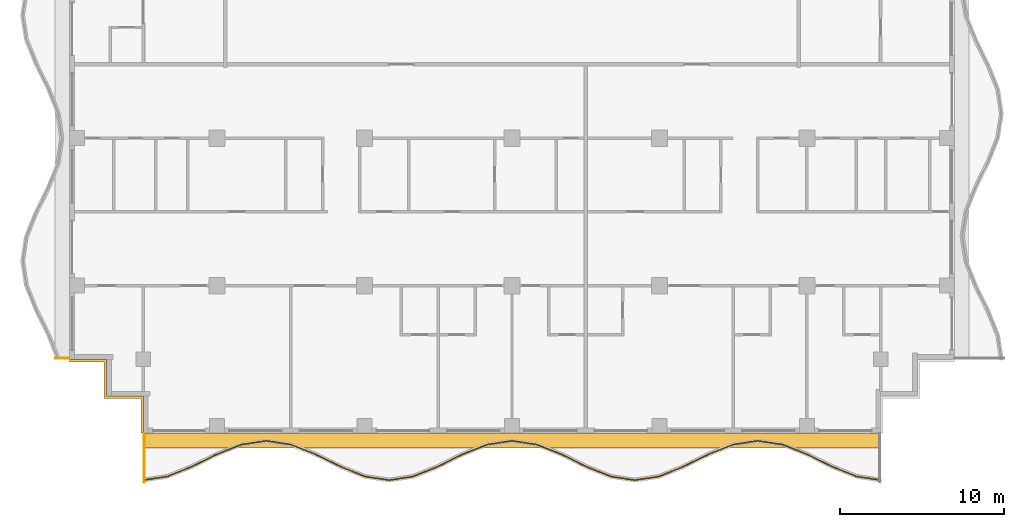
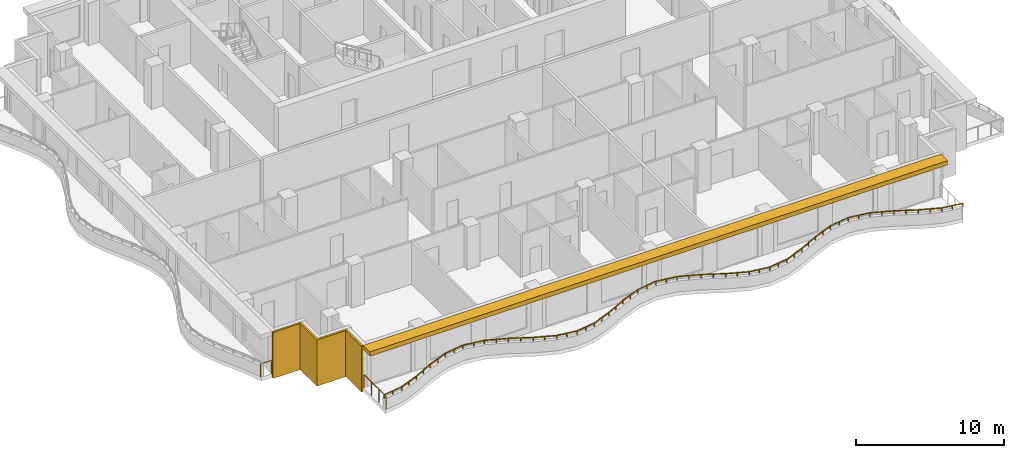
# One storey, part 8 of 11: 3 railings, 2 shading devices.
"""IFC4 building model written with IfcOpenShell, lengths in metres."""

from ifc_helpers import new_model, si_unit, direction, frame, origin, origin_2d, place, context, subcontext, project, spatial, polyline, rectangle, outline, extrude, material, layer, layer_set, type_object, element, save


model = new_model("IFC4")

# Units and contexts
model_context = context("Model", 3, precision=1e-05, world=origin(), true_north=direction((0.0, 1.0)))
body_context = subcontext(model_context, "Body", "Model", "MODEL_VIEW")
ifc_project = project(units=[si_unit("LENGTHUNIT", "METRE"), si_unit("AREAUNIT", "SQUARE_METRE"), si_unit("VOLUMEUNIT", "CUBIC_METRE"), si_unit("PLANEANGLEUNIT", "RADIAN"), si_unit("MASSUNIT", "GRAM", prefix="KILO")], contexts=[model_context])

# Site, building, storey
site_placement = place(None, origin())
site = spatial("IfcSite", under=ifc_project, at=site_placement, CompositionType="ELEMENT")
building_placement = place(site_placement, origin())
building = spatial("IfcBuilding", under=site, at=building_placement, Name="Orbiselva Terraces", CompositionType="ELEMENT")
storey_placement = place(building_placement, frame((0.0, 0.0, 250.2)))
storey = spatial("IfcBuildingStorey", under=building, at=storey_placement, Name="L63", CompositionType="ELEMENT", Elevation=250.2)

# Railings
ifc_material_1 = material(Name="Bonded two-ply safety glass balustrade, stainless steel posts", Category="steel")
railing_type_1 = type_object("IfcRailingType", Name="ENV-BALUSTRADE-1200", PredefinedType="BALUSTRADE", material=ifc_material_1)
railing_1_placement = place(storey_placement, frame((-22.518879, -25.376434, 0.9)))
element("IfcRailing", 1, at=railing_1_placement, inside=storey, type_object=railing_type_1, Name="Balcony balustrade L63 S", PredefinedType="BALUSTRADE", context=body_context, shape_type="SweptSolid", body=[
    extrude(outline(polyline([(0.028868, 0.0), (0.014434, 0.025), (-0.014434, 0.025), (-0.028868, 0.0), (-0.014434, -0.025), (0.014434, -0.025), (0.028868, 0.0)])), frame((0.0, 0.0, 0.275), z_axis=(0.988528552748, 0.151034103443, 0.0), x_axis=(-0.151034103443, 0.988528552748, 0.0)), (0.0, 0.0, 1.0), 1.503038),
    extrude(outline(polyline([(0.028868, 0.0), (0.014434, 0.025), (-0.014434, 0.025), (-0.028868, 0.0), (-0.014434, -0.025), (0.014434, -0.025), (0.028868, 0.0)])), frame((1.485796, 0.22701, 0.275), z_axis=(0.928476561272, 0.371391000387, 0.0), x_axis=(-0.371391000387, 0.928476561272, 0.0)), (0.0, 0.0, 1.0), 1.596261),
    extrude(outline(polyline([(0.028868, 0.0), (0.014434, 0.025), (-0.014434, 0.025), (-0.028868, 0.0), (-0.014434, -0.025), (0.014434, -0.025), (0.028868, 0.0)])), frame((2.967887, 0.819847, 0.275), z_axis=(0.896416672454, 0.443212307306, 0.0), x_axis=(-0.443212307306, 0.896416672454, 0.0)), (0.0, 0.0, 1.0), 1.673329),
    extrude(outline(polyline([(0.028868, 0.0), (0.014434, 0.025), (-0.014434, 0.025), (-0.028868, 0.0), (-0.014434, -0.025), (0.014434, -0.025), (0.028868, 0.0)])), frame((4.467887, 1.561487, 0.275), z_axis=(0.92847681744, 0.371390359967, 0.0), x_axis=(-0.371390359967, 0.92847681744, 0.0)), (0.0, 0.0, 1.0), 1.634838),
    extrude(outline(polyline([(0.028868, 0.0), (0.014434, 0.025), (-0.014434, 0.025), (-0.028868, 0.0), (-0.014434, -0.025), (0.014434, -0.025), (0.028868, 0.0)])), frame((5.985796, 2.16865, 0.275), z_axis=(0.988528536275, 0.151034211256, 0.0), x_axis=(-0.151034211256, 0.988528536275, 0.0)), (0.0, 0.0, 1.0), 1.550874),
    extrude(outline(polyline([(0.028868, 0.0), (0.014434, 0.025), (-0.014434, 0.025), (-0.028868, 0.0), (-0.014434, -0.025), (0.014434, -0.025), (0.028868, 0.0)])), frame((7.518879, 2.402885, 0.275), z_axis=(0.988528536275, -0.151034211256, 0.0), x_axis=(0.151034211256, 0.988528536275, 0.0)), (0.0, 0.0, 1.0), 1.550874),
    extrude(outline(polyline([(0.028868, 0.0), (0.014434, 0.025), (-0.014434, 0.025), (-0.028868, 0.0), (-0.014434, -0.025), (0.014434, -0.025), (0.028868, 0.0)])), frame((9.051962, 2.16865, 0.275), z_axis=(0.92847681744, -0.371390359967, 0.0), x_axis=(0.371390359967, 0.92847681744, 0.0)), (0.0, 0.0, 1.0), 1.634838),
    extrude(outline(polyline([(0.028868, 0.0), (0.014434, 0.025), (-0.014434, 0.025), (-0.028868, 0.0), (-0.014434, -0.025), (0.014434, -0.025), (0.028868, 0.0)])), frame((10.569871, 1.561487, 0.275), z_axis=(0.896416672454, -0.443212307306, 0.0), x_axis=(0.443212307306, 0.896416672454, 0.0)), (0.0, 0.0, 1.0), 1.673329),
    extrude(outline(polyline([(0.028868, 0.0), (0.014434, 0.025), (-0.014434, 0.025), (-0.028868, 0.0), (-0.014434, -0.025), (0.014434, -0.025), (0.028868, 0.0)])), frame((12.069871, 0.819847, 0.275), z_axis=(0.928476561272, -0.371391000387, 0.0), x_axis=(0.371391000387, 0.928476561272, 0.0)), (0.0, 0.0, 1.0), 1.596261),
    extrude(outline(polyline([(0.028868, 0.0), (0.014434, 0.025), (-0.014434, 0.025), (-0.028868, 0.0), (-0.014434, -0.025), (0.014434, -0.025), (0.028868, 0.0)])), frame((13.551962, 0.22701, 0.275), z_axis=(0.988528606898, -0.151033749027, 0.0), x_axis=(0.151033749027, 0.988528606898, 0.0)), (0.0, 0.0, 1.0), 1.48394),
    extrude(outline(polyline([(0.028868, 0.0), (0.014434, 0.025), (-0.014434, 0.025), (-0.028868, 0.0), (-0.014434, -0.025), (0.014434, -0.025), (0.028868, 0.0)])), frame((15.018879, 0.002885, 0.275), z_axis=(0.988528606898, 0.151033749027, 0.0), x_axis=(-0.151033749027, 0.988528606898, 0.0)), (0.0, 0.0, 1.0), 1.48394),
    extrude(outline(polyline([(0.028868, 0.0), (0.014434, 0.025), (-0.014434, 0.025), (-0.028868, 0.0), (-0.014434, -0.025), (0.014434, -0.025), (0.028868, 0.0)])), frame((16.485796, 0.22701, 0.275), z_axis=(0.928476561272, 0.371391000387, 0.0), x_axis=(-0.371391000387, 0.928476561272, 0.0)), (0.0, 0.0, 1.0), 1.596261),
    extrude(outline(polyline([(0.028868, 0.0), (0.014434, 0.025), (-0.014434, 0.025), (-0.028868, 0.0), (-0.014434, -0.025), (0.014434, -0.025), (0.028868, 0.0)])), frame((17.967887, 0.819847, 0.275), z_axis=(0.896416672454, 0.443212307306, 0.0), x_axis=(-0.443212307306, 0.896416672454, 0.0)), (0.0, 0.0, 1.0), 1.673329),
    extrude(outline(polyline([(0.028868, 0.0), (0.014434, 0.025), (-0.014434, 0.025), (-0.028868, 0.0), (-0.014434, -0.025), (0.014434, -0.025), (0.028868, 0.0)])), frame((19.467887, 1.561487, 0.275), z_axis=(0.92847681744, 0.371390359967, 0.0), x_axis=(-0.371390359967, 0.92847681744, 0.0)), (0.0, 0.0, 1.0), 1.634838),
    extrude(outline(polyline([(0.028868, 0.0), (0.014434, 0.025), (-0.014434, 0.025), (-0.028868, 0.0), (-0.014434, -0.025), (0.014434, -0.025), (0.028868, 0.0)])), frame((20.985796, 2.16865, 0.275), z_axis=(0.988528536275, 0.151034211256, 0.0), x_axis=(-0.151034211256, 0.988528536275, 0.0)), (0.0, 0.0, 1.0), 1.550874),
    extrude(outline(polyline([(0.028868, 0.0), (0.014434, 0.025), (-0.014434, 0.025), (-0.028868, 0.0), (-0.014434, -0.025), (0.014434, -0.025), (0.028868, 0.0)])), frame((22.518879, 2.402885, 0.275), z_axis=(0.988528536275, -0.151034211256, 0.0), x_axis=(0.151034211256, 0.988528536275, 0.0)), (0.0, 0.0, 1.0), 1.550874),
    extrude(outline(polyline([(0.028868, 0.0), (0.014434, 0.025), (-0.014434, 0.025), (-0.028868, 0.0), (-0.014434, -0.025), (0.014434, -0.025), (0.028868, 0.0)])), frame((24.051962, 2.16865, 0.275), z_axis=(0.92847681744, -0.371390359967, 0.0), x_axis=(0.371390359967, 0.92847681744, 0.0)), (0.0, 0.0, 1.0), 1.634838),
    extrude(outline(polyline([(0.028868, 0.0), (0.014434, 0.025), (-0.014434, 0.025), (-0.028868, 0.0), (-0.014434, -0.025), (0.014434, -0.025), (0.028868, 0.0)])), frame((25.569871, 1.561487, 0.275), z_axis=(0.896416672454, -0.443212307306, 0.0), x_axis=(0.443212307306, 0.896416672454, 0.0)), (0.0, 0.0, 1.0), 1.673329),
    extrude(outline(polyline([(0.028868, 0.0), (0.014434, 0.025), (-0.014434, 0.025), (-0.028868, 0.0), (-0.014434, -0.025), (0.014434, -0.025), (0.028868, 0.0)])), frame((27.069871, 0.819847, 0.275), z_axis=(0.928476561272, -0.371391000387, 0.0), x_axis=(0.371391000387, 0.928476561272, 0.0)), (0.0, 0.0, 1.0), 1.596261),
    extrude(outline(polyline([(0.028868, 0.0), (0.014434, 0.025), (-0.014434, 0.025), (-0.028868, 0.0), (-0.014434, -0.025), (0.014434, -0.025), (0.028868, 0.0)])), frame((28.551962, 0.22701, 0.275), z_axis=(0.988528606898, -0.151033749027, 0.0), x_axis=(0.151033749027, 0.988528606898, 0.0)), (0.0, 0.0, 1.0), 1.48394),
    extrude(outline(polyline([(0.028868, 0.0), (0.014434, 0.025), (-0.014434, 0.025), (-0.028868, 0.0), (-0.014434, -0.025), (0.014434, -0.025), (0.028868, 0.0)])), frame((30.018879, 0.002885, 0.275), z_axis=(0.988528606898, 0.151033749027, 0.0), x_axis=(-0.151033749027, 0.988528606898, 0.0)), (0.0, 0.0, 1.0), 1.48394),
    extrude(outline(polyline([(0.028868, 0.0), (0.014434, 0.025), (-0.014434, 0.025), (-0.028868, 0.0), (-0.014434, -0.025), (0.014434, -0.025), (0.028868, 0.0)])), frame((31.485796, 0.22701, 0.275), z_axis=(0.928476561272, 0.371391000387, 0.0), x_axis=(-0.371391000387, 0.928476561272, 0.0)), (0.0, 0.0, 1.0), 1.596261),
    extrude(outline(polyline([(0.028868, 0.0), (0.014434, 0.025), (-0.014434, 0.025), (-0.028868, 0.0), (-0.014434, -0.025), (0.014434, -0.025), (0.028868, 0.0)])), frame((32.967887, 0.819847, 0.275), z_axis=(0.896416672454, 0.443212307306, 0.0), x_axis=(-0.443212307306, 0.896416672454, 0.0)), (0.0, 0.0, 1.0), 1.673329),
    extrude(outline(polyline([(0.028868, 0.0), (0.014434, 0.025), (-0.014434, 0.025), (-0.028868, 0.0), (-0.014434, -0.025), (0.014434, -0.025), (0.028868, 0.0)])), frame((34.467887, 1.561487, 0.275), z_axis=(0.92847681744, 0.371390359967, 0.0), x_axis=(-0.371390359967, 0.92847681744, 0.0)), (0.0, 0.0, 1.0), 1.634838),
    extrude(outline(polyline([(0.028868, 0.0), (0.014434, 0.025), (-0.014434, 0.025), (-0.028868, 0.0), (-0.014434, -0.025), (0.014434, -0.025), (0.028868, 0.0)])), frame((35.985796, 2.16865, 0.275), z_axis=(0.988528536275, 0.151034211256, 0.0), x_axis=(-0.151034211256, 0.988528536275, 0.0)), (0.0, 0.0, 1.0), 1.550874),
    extrude(outline(polyline([(0.028868, 0.0), (0.014434, 0.025), (-0.014434, 0.025), (-0.028868, 0.0), (-0.014434, -0.025), (0.014434, -0.025), (0.028868, 0.0)])), frame((37.518879, 2.402885, 0.275), z_axis=(0.988528536275, -0.151034211256, 0.0), x_axis=(0.151034211256, 0.988528536275, 0.0)), (0.0, 0.0, 1.0), 1.550874),
    extrude(outline(polyline([(0.028868, 0.0), (0.014434, 0.025), (-0.014434, 0.025), (-0.028868, 0.0), (-0.014434, -0.025), (0.014434, -0.025), (0.028868, 0.0)])), frame((39.051962, 2.16865, 0.275), z_axis=(0.92847681744, -0.371390359967, 0.0), x_axis=(0.371390359967, 0.92847681744, 0.0)), (0.0, 0.0, 1.0), 1.634838),
    extrude(outline(polyline([(0.028868, 0.0), (0.014434, 0.025), (-0.014434, 0.025), (-0.028868, 0.0), (-0.014434, -0.025), (0.014434, -0.025), (0.028868, 0.0)])), frame((40.569871, 1.561487, 0.275), z_axis=(0.896416672454, -0.443212307306, 0.0), x_axis=(0.443212307306, 0.896416672454, 0.0)), (0.0, 0.0, 1.0), 1.673329),
    extrude(outline(polyline([(0.028868, 0.0), (0.014434, 0.025), (-0.014434, 0.025), (-0.028868, 0.0), (-0.014434, -0.025), (0.014434, -0.025), (0.028868, 0.0)])), frame((42.069871, 0.819847, 0.275), z_axis=(0.928476561272, -0.371391000387, 0.0), x_axis=(0.371391000387, 0.928476561272, 0.0)), (0.0, 0.0, 1.0), 1.596261),
    extrude(outline(polyline([(0.028868, 0.0), (0.014434, 0.025), (-0.014434, 0.025), (-0.028868, 0.0), (-0.014434, -0.025), (0.014434, -0.025), (0.028868, 0.0)])), frame((43.551962, 0.22701, 0.275), z_axis=(0.988528552748, -0.151034103443, 0.0), x_axis=(0.151034103443, 0.988528552748, 0.0)), (0.0, 0.0, 1.0), 1.503038),
    extrude(rectangle(XDim=0.05, YDim=0.05, at=origin_2d()), origin(), (0.0, 0.0, 1.0), 0.25),
    extrude(rectangle(XDim=0.05, YDim=0.05, at=origin_2d()), frame((0.742898, 0.113505, 0.0)), (0.0, 0.0, 1.0), 0.25),
    extrude(rectangle(XDim=0.05, YDim=0.05, at=origin_2d()), frame((1.485796, 0.22701, 0.0)), (0.0, 0.0, 1.0), 0.25),
    extrude(rectangle(XDim=0.05, YDim=0.05, at=origin_2d()), frame((2.226841, 0.523428, 0.0)), (0.0, 0.0, 1.0), 0.25),
    extrude(rectangle(XDim=0.05, YDim=0.05, at=origin_2d()), frame((2.967887, 0.819847, 0.0)), (0.0, 0.0, 1.0), 0.25),
    extrude(rectangle(XDim=0.05, YDim=0.05, at=origin_2d()), frame((3.717887, 1.190667, 0.0)), (0.0, 0.0, 1.0), 0.25),
    extrude(rectangle(XDim=0.05, YDim=0.05, at=origin_2d()), frame((4.467887, 1.561487, 0.0)), (0.0, 0.0, 1.0), 0.25),
    extrude(rectangle(XDim=0.05, YDim=0.05, at=origin_2d()), frame((5.226841, 1.865068, 0.0)), (0.0, 0.0, 1.0), 0.25),
    extrude(rectangle(XDim=0.05, YDim=0.05, at=origin_2d()), frame((5.985796, 2.16865, 0.0)), (0.0, 0.0, 1.0), 0.25),
    extrude(rectangle(XDim=0.05, YDim=0.05, at=origin_2d()), frame((6.752337, 2.285768, 0.0)), (0.0, 0.0, 1.0), 0.25),
    extrude(rectangle(XDim=0.05, YDim=0.05, at=origin_2d()), frame((7.518879, 2.402885, 0.0)), (0.0, 0.0, 1.0), 0.25),
    extrude(rectangle(XDim=0.05, YDim=0.05, at=origin_2d()), frame((8.28542, 2.285768, 0.0)), (0.0, 0.0, 1.0), 0.25),
    extrude(rectangle(XDim=0.05, YDim=0.05, at=origin_2d()), frame((9.051962, 2.16865, 0.0)), (0.0, 0.0, 1.0), 0.25),
    extrude(rectangle(XDim=0.05, YDim=0.05, at=origin_2d()), frame((9.810916, 1.865068, 0.0)), (0.0, 0.0, 1.0), 0.25),
    extrude(rectangle(XDim=0.05, YDim=0.05, at=origin_2d()), frame((10.569871, 1.561487, 0.0)), (0.0, 0.0, 1.0), 0.25),
    extrude(rectangle(XDim=0.05, YDim=0.05, at=origin_2d()), frame((11.319871, 1.190667, 0.0)), (0.0, 0.0, 1.0), 0.25),
    extrude(rectangle(XDim=0.05, YDim=0.05, at=origin_2d()), frame((12.069871, 0.819847, 0.0)), (0.0, 0.0, 1.0), 0.25),
    extrude(rectangle(XDim=0.05, YDim=0.05, at=origin_2d()), frame((12.810916, 0.523428, 0.0)), (0.0, 0.0, 1.0), 0.25),
    extrude(rectangle(XDim=0.05, YDim=0.05, at=origin_2d()), frame((13.551962, 0.22701, 0.0)), (0.0, 0.0, 1.0), 0.25),
    extrude(rectangle(XDim=0.05, YDim=0.05, at=origin_2d()), frame((14.28542, 0.114947, 0.0)), (0.0, 0.0, 1.0), 0.25),
    extrude(rectangle(XDim=0.05, YDim=0.05, at=origin_2d()), frame((15.018879, 0.002885, 0.0)), (0.0, 0.0, 1.0), 0.25),
    extrude(rectangle(XDim=0.05, YDim=0.05, at=origin_2d()), frame((15.752337, 0.114947, 0.0)), (0.0, 0.0, 1.0), 0.25),
    extrude(rectangle(XDim=0.05, YDim=0.05, at=origin_2d()), frame((16.485796, 0.22701, 0.0)), (0.0, 0.0, 1.0), 0.25),
    extrude(rectangle(XDim=0.05, YDim=0.05, at=origin_2d()), frame((17.226842, 0.523428, 0.0)), (0.0, 0.0, 1.0), 0.25),
    extrude(rectangle(XDim=0.05, YDim=0.05, at=origin_2d()), frame((17.967887, 0.819847, 0.0)), (0.0, 0.0, 1.0), 0.25),
    extrude(rectangle(XDim=0.05, YDim=0.05, at=origin_2d()), frame((18.717887, 1.190667, 0.0)), (0.0, 0.0, 1.0), 0.25),
    extrude(rectangle(XDim=0.05, YDim=0.05, at=origin_2d()), frame((19.467887, 1.561487, 0.0)), (0.0, 0.0, 1.0), 0.25),
    extrude(rectangle(XDim=0.05, YDim=0.05, at=origin_2d()), frame((20.226842, 1.865068, 0.0)), (0.0, 0.0, 1.0), 0.25),
    extrude(rectangle(XDim=0.05, YDim=0.05, at=origin_2d()), frame((20.985796, 2.16865, 0.0)), (0.0, 0.0, 1.0), 0.25),
    extrude(rectangle(XDim=0.05, YDim=0.05, at=origin_2d()), frame((21.752337, 2.285768, 0.0)), (0.0, 0.0, 1.0), 0.25),
    extrude(rectangle(XDim=0.05, YDim=0.05, at=origin_2d()), frame((22.518879, 2.402885, 0.0)), (0.0, 0.0, 1.0), 0.25),
    extrude(rectangle(XDim=0.05, YDim=0.05, at=origin_2d()), frame((23.28542, 2.285768, 0.0)), (0.0, 0.0, 1.0), 0.25),
    extrude(rectangle(XDim=0.05, YDim=0.05, at=origin_2d()), frame((24.051962, 2.16865, 0.0)), (0.0, 0.0, 1.0), 0.25),
    extrude(rectangle(XDim=0.05, YDim=0.05, at=origin_2d()), frame((24.810916, 1.865068, 0.0)), (0.0, 0.0, 1.0), 0.25),
    extrude(rectangle(XDim=0.05, YDim=0.05, at=origin_2d()), frame((25.569871, 1.561487, 0.0)), (0.0, 0.0, 1.0), 0.25),
    extrude(rectangle(XDim=0.05, YDim=0.05, at=origin_2d()), frame((26.319871, 1.190667, 0.0)), (0.0, 0.0, 1.0), 0.25),
    extrude(rectangle(XDim=0.05, YDim=0.05, at=origin_2d()), frame((27.069871, 0.819847, 0.0)), (0.0, 0.0, 1.0), 0.25),
    extrude(rectangle(XDim=0.05, YDim=0.05, at=origin_2d()), frame((27.810916, 0.523428, 0.0)), (0.0, 0.0, 1.0), 0.25),
    extrude(rectangle(XDim=0.05, YDim=0.05, at=origin_2d()), frame((28.551962, 0.22701, 0.0)), (0.0, 0.0, 1.0), 0.25),
    extrude(rectangle(XDim=0.05, YDim=0.05, at=origin_2d()), frame((29.28542, 0.114947, 0.0)), (0.0, 0.0, 1.0), 0.25),
    extrude(rectangle(XDim=0.05, YDim=0.05, at=origin_2d()), frame((30.018879, 0.002885, 0.0)), (0.0, 0.0, 1.0), 0.25),
    extrude(rectangle(XDim=0.05, YDim=0.05, at=origin_2d()), frame((30.752338, 0.114947, 0.0)), (0.0, 0.0, 1.0), 0.25),
    extrude(rectangle(XDim=0.05, YDim=0.05, at=origin_2d()), frame((31.485796, 0.22701, 0.0)), (0.0, 0.0, 1.0), 0.25),
    extrude(rectangle(XDim=0.05, YDim=0.05, at=origin_2d()), frame((32.226842, 0.523428, 0.0)), (0.0, 0.0, 1.0), 0.25),
    extrude(rectangle(XDim=0.05, YDim=0.05, at=origin_2d()), frame((32.967887, 0.819847, 0.0)), (0.0, 0.0, 1.0), 0.25),
    extrude(rectangle(XDim=0.05, YDim=0.05, at=origin_2d()), frame((33.717887, 1.190667, 0.0)), (0.0, 0.0, 1.0), 0.25),
    extrude(rectangle(XDim=0.05, YDim=0.05, at=origin_2d()), frame((34.467887, 1.561487, 0.0)), (0.0, 0.0, 1.0), 0.25),
    extrude(rectangle(XDim=0.05, YDim=0.05, at=origin_2d()), frame((35.226842, 1.865068, 0.0)), (0.0, 0.0, 1.0), 0.25),
    extrude(rectangle(XDim=0.05, YDim=0.05, at=origin_2d()), frame((35.985796, 2.16865, 0.0)), (0.0, 0.0, 1.0), 0.25),
    extrude(rectangle(XDim=0.05, YDim=0.05, at=origin_2d()), frame((36.752337, 2.285768, 0.0)), (0.0, 0.0, 1.0), 0.25),
    extrude(rectangle(XDim=0.05, YDim=0.05, at=origin_2d()), frame((37.518879, 2.402885, 0.0)), (0.0, 0.0, 1.0), 0.25),
    extrude(rectangle(XDim=0.05, YDim=0.05, at=origin_2d()), frame((38.28542, 2.285768, 0.0)), (0.0, 0.0, 1.0), 0.25),
    extrude(rectangle(XDim=0.05, YDim=0.05, at=origin_2d()), frame((39.051962, 2.16865, 0.0)), (0.0, 0.0, 1.0), 0.25),
    extrude(rectangle(XDim=0.05, YDim=0.05, at=origin_2d()), frame((39.810917, 1.865068, 0.0)), (0.0, 0.0, 1.0), 0.25),
    extrude(rectangle(XDim=0.05, YDim=0.05, at=origin_2d()), frame((40.569871, 1.561487, 0.0)), (0.0, 0.0, 1.0), 0.25),
    extrude(rectangle(XDim=0.05, YDim=0.05, at=origin_2d()), frame((41.319871, 1.190667, 0.0)), (0.0, 0.0, 1.0), 0.25),
    extrude(rectangle(XDim=0.05, YDim=0.05, at=origin_2d()), frame((42.069871, 0.819847, 0.0)), (0.0, 0.0, 1.0), 0.25),
    extrude(rectangle(XDim=0.05, YDim=0.05, at=origin_2d()), frame((42.810917, 0.523428, 0.0)), (0.0, 0.0, 1.0), 0.25),
    extrude(rectangle(XDim=0.05, YDim=0.05, at=origin_2d()), frame((43.551962, 0.22701, 0.0)), (0.0, 0.0, 1.0), 0.25),
    extrude(rectangle(XDim=0.05, YDim=0.05, at=origin_2d()), frame((44.29486, 0.113505, 0.0)), (0.0, 0.0, 1.0), 0.25),
    extrude(rectangle(XDim=0.05, YDim=0.05, at=origin_2d()), frame((45.037758, 0.0, 0.0)), (0.0, 0.0, 1.0), 0.25),
])
ifc_material_2 = material(Name="Stainless steel rail and posts", Category="steel")
railing_type_2 = type_object("IfcRailingType", Name="ENV-GUARD-1105", PredefinedType="BALUSTRADE", material=ifc_material_2)
railing_2_placement = place(storey_placement, frame((-22.44, -25.499621, 0.0)))
element("IfcRailing", 2, at=railing_2_placement, inside=storey, type_object=railing_type_2, Name="Balcony end guard L63 S", PredefinedType="BALUSTRADE", context=body_context, shape_type="SweptSolid", body=[
    extrude(outline(polyline([(0.028868, 0.0), (0.014434, 0.025), (-0.014434, 0.025), (-0.028868, 0.0), (-0.014434, -0.025), (0.014434, -0.025), (0.028868, 0.0)])), frame((0.0, 0.0, 1.08), z_axis=(0.0, 1.0, 0.0), x_axis=(-1.0, 0.0, 0.0)), (0.0, 0.0, 1.0), 2.974621),
    extrude(rectangle(XDim=0.05, YDim=0.05, at=origin_2d()), origin(), (0.0, 0.0, 1.0), 1.055),
    extrude(rectangle(XDim=0.05, YDim=0.05, at=origin_2d()), frame((0.0, 0.99154, 0.0)), (0.0, 0.0, 1.0), 1.055),
    extrude(rectangle(XDim=0.05, YDim=0.05, at=origin_2d()), frame((0.0, 1.983081, 0.0)), (0.0, 0.0, 1.0), 1.055),
    extrude(rectangle(XDim=0.05, YDim=0.05, at=origin_2d()), frame((0.0, 2.974621, 0.0)), (0.0, 0.0, 1.0), 1.055),
])
railing_3_placement = place(storey_placement, frame((-27.847212, -17.94, 0.0)))
element("IfcRailing", 3, at=railing_3_placement, inside=storey, type_object=railing_type_2, Name="Balcony end guard L63 W", PredefinedType="BALUSTRADE", context=body_context, shape_type="SweptSolid", body=[
    extrude(outline(polyline([(0.028868, 0.0), (0.014434, 0.025), (-0.014434, 0.025), (-0.028868, 0.0), (-0.014434, -0.025), (0.014434, -0.025), (0.028868, 0.0)])), frame((0.0, 0.0, 1.08), z_axis=(1.0, 0.0, 0.0), x_axis=(0.0, 1.0, 0.0)), (0.0, 0.0, 1.0), 0.822212),
    extrude(rectangle(XDim=0.05, YDim=0.05, at=origin_2d()), origin(), (0.0, 0.0, 1.0), 1.055),
    extrude(rectangle(XDim=0.05, YDim=0.05, at=origin_2d()), frame((0.822212, 0.0, 0.0)), (0.0, 0.0, 1.0), 1.055),
])

# Shading devices
ifc_material_3 = material(Name="Terracotta louvre screen", Category="masonry")
ifc_layer_1 = layer(ifc_material_3, 0.15)
ifc_layer_set_1 = layer_set([ifc_layer_1], Name="Terracotta louvre screen")
shading_device_type_1 = type_object("IfcShadingDeviceType", Name="ENV-SCREEN-150", PredefinedType="USERDEFINED", material=ifc_layer_set_1)
shading_device_1_placement = place(storey_placement, frame((0.0, 0.0, -0.3)))
element("IfcShadingDevice", 4, at=shading_device_1_placement, inside=storey, type_object=shading_device_type_1, Name="Louvre screen L63 SW", ObjectType="SCREEN", PredefinedType="USERDEFINED", context=body_context, shape_type="SweptSolid", body=[
    extrude(outline(polyline([(-27.0, -18.15), (-24.9, -18.15), (-24.9, -20.4), (-22.65, -20.4), (-22.65, -22.5), (-22.5, -22.5), (-22.5, -20.25), (-24.75, -20.25), (-24.75, -18.0), (-27.0, -18.0), (-27.0, -18.15)])), origin(), (0.0, 0.0, 1.0), 3.8),
])
ifc_material_4 = material(Name="Terracotta baguette sunshade", Category="masonry")
ifc_layer_2 = layer(ifc_material_4, 0.35)
ifc_layer_set_2 = layer_set([ifc_layer_2], Name="Terracotta baguette sunshade")
shading_device_type_2 = type_object("IfcShadingDeviceType", Name="ENV-SUNSHADE-900x350", PredefinedType="USERDEFINED", material=ifc_layer_set_2)
shading_device_2_placement = place(storey_placement, frame((0.0, 0.0, 3.15)))
element("IfcShadingDevice", 5, at=shading_device_2_placement, inside=storey, type_object=shading_device_type_2, Name="Sunshade band L63 S", ObjectType="SUNSHADE", PredefinedType="USERDEFINED", context=body_context, shape_type="SweptSolid", body=[
    extrude(outline(polyline([(-22.5, -23.4), (22.5, -23.4), (22.5, -22.5), (-22.5, -22.5), (-22.5, -23.4)])), origin(), (0.0, 0.0, 1.0), 0.35),
])

save(model, "model.ifc")
